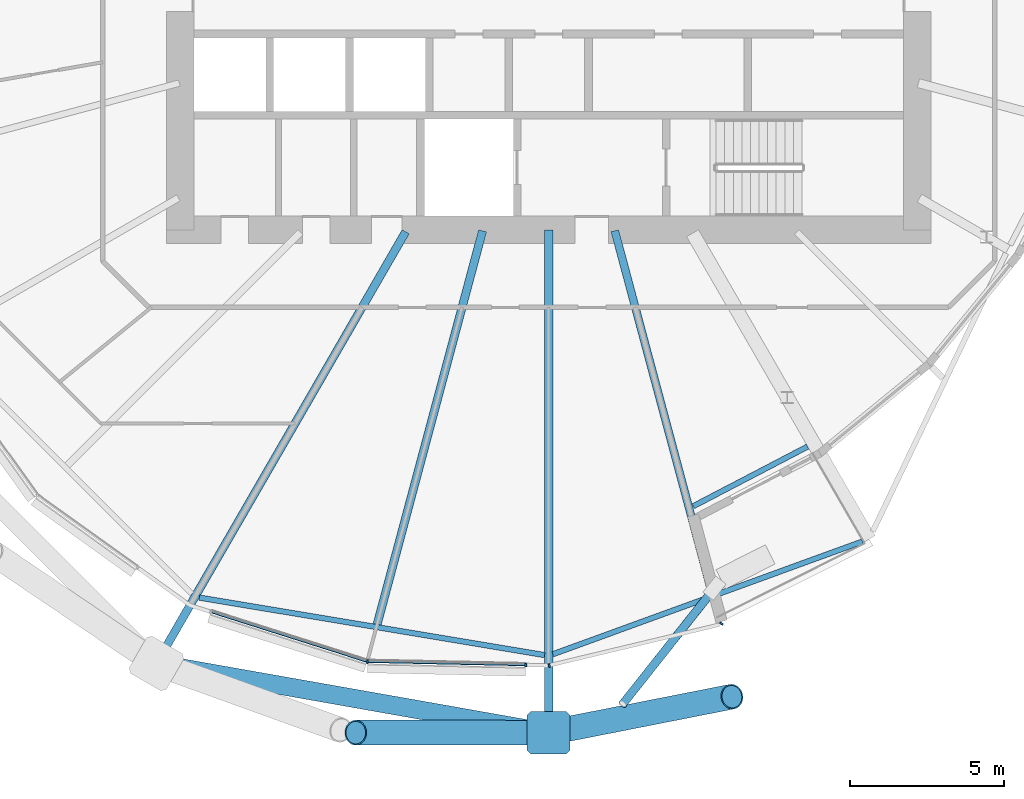
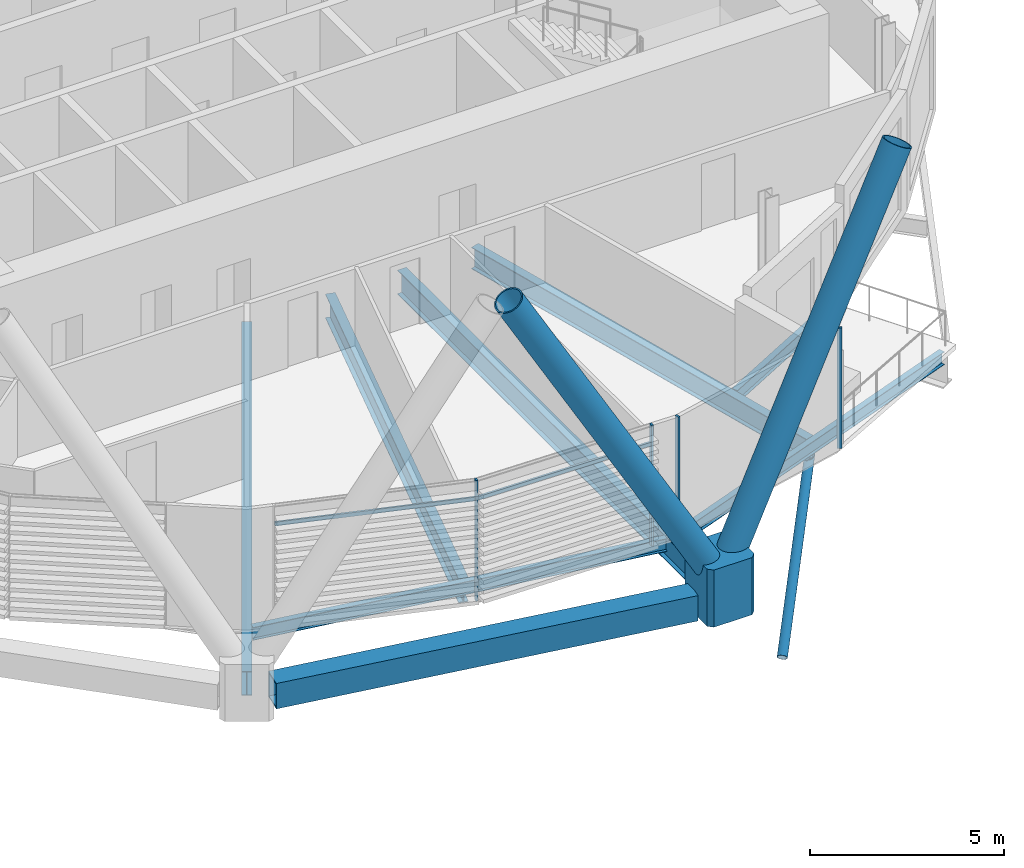
# One storey, part 12 of 36: 10 members, 8 beams, 1 element without a shape of its own.
"""IFC4 building model written with IfcOpenShell, lengths in metres."""

from ifc_helpers import new_model, si_unit, direction, frame, origin, origin_2d, place, context, subcontext, project, spatial, polyline, rectangle, hollow_rectangle, hollow_circle, i_section, outline, extrude, clip, halfspace, material, material_profile, profile_set, type_object, element, aggregate, save


model = new_model("IFC4")

# Units and contexts
model_context = context("Model", 3, precision=1e-05, world=origin(), true_north=direction((0.0, 1.0)))
body_context = subcontext(model_context, "Body", "Model", "MODEL_VIEW")
ifc_project = project(units=[si_unit("LENGTHUNIT", "METRE"), si_unit("AREAUNIT", "SQUARE_METRE"), si_unit("VOLUMEUNIT", "CUBIC_METRE"), si_unit("PLANEANGLEUNIT", "RADIAN"), si_unit("MASSUNIT", "GRAM", prefix="KILO")], contexts=[model_context])

# Site, building, storey
site_placement = place(None, origin())
site = spatial("IfcSite", under=ifc_project, at=site_placement, CompositionType="ELEMENT")
building_placement = place(site_placement, origin())
building = spatial("IfcBuilding", under=site, at=building_placement, Name="Rimbun Link Towers", CompositionType="ELEMENT")
storey_placement = place(building_placement, frame((0.0, 0.0, 64.199951171875)))
storey = spatial("IfcBuildingStorey", under=building, at=storey_placement, Name="L15", CompositionType="ELEMENT", Elevation=64.199951171875)

# Curtain wall, members
ifc_material_1 = material(Name="Aluminium 6063-T6 and low-iron glass", Category="aluminium")
curtain_wall_type = type_object("IfcCurtainWallType", Name="CW1 unitised vision wall", PredefinedType="NOTDEFINED", material=ifc_material_1)
curtain_wall_placement = place(storey_placement, origin())
curtain_wall = element("IfcCurtainWall", 1, at=curtain_wall_placement, inside=storey, type_object=curtain_wall_type, Name="CW1 L15 T2", PredefinedType="NOTDEFINED")
ifc_material_2 = material(Name="Aluminium 6063-T6", Category="aluminium")
ifc_material_profile_1 = material_profile(ifc_material_2, rectangle(XDim=0.1201171875, YDim=0.06005859375, at=origin_2d()), Name="MULLION 60X120")
ifc_profile_set_1 = profile_set([ifc_material_profile_1], Name="Aluminium 6063-T6")
member_type_1 = type_object("IfcMemberType", Name="CW1 mullion 60X120", PredefinedType="MULLION", material=ifc_profile_set_1)
member_1_placement = place(storey_placement, frame((25.843994140625, -22.06396484375, 0.0), z_axis=(0.0, 0.0, 1.0), x_axis=(-0.16374422533, -0.986502827503, 0.0)))
member_1 = element("IfcMember", 2, at=member_1_placement, type_object=member_type_1, Name="CW1 mullion", PredefinedType="MULLION", context=body_context, shape_type="SweptSolid", body=[
    extrude(rectangle(XDim=0.1201171875, YDim=0.06005859375, at=origin_2d()), origin(), (0.0, 0.0, 1.0), 3.800048828125),
])
member_2_placement = place(storey_placement, frame((30.9990234375, -22.173095703125, 0.0), z_axis=(0.0, 0.0, 1.0), x_axis=(-0.021059742681, -0.999778219026, 0.0)))
member_2 = element("IfcMember", 3, at=member_2_placement, type_object=member_type_1, Name="CW1 mullion", PredefinedType="MULLION", context=body_context, shape_type="SweptSolid", body=[
    extrude(rectangle(XDim=0.1201171875, YDim=0.06005859375, at=origin_2d()), origin(), (0.0, 0.0, 1.0), 3.800048828125),
])
member_3_placement = place(storey_placement, frame((37.3740234375, -20.826904296875, 0.0), z_axis=(0.0, 0.0, 1.0), x_axis=(0.859188553098, -0.511659095712, 0.0)))
member_3 = element("IfcMember", 4, at=member_3_placement, type_object=member_type_1, Name="CW1 mullion", PredefinedType="MULLION", context=body_context, shape_type="SweptSolid", body=[
    extrude(rectangle(XDim=0.1201171875, YDim=0.06005859375, at=origin_2d()), origin(), (0.0, 0.0, 1.0), 3.800048828125),
])
member_4_placement = place(storey_placement, frame((31.763916015625, -22.187255859375, 0.0), z_axis=(0.0, 0.0, 1.0), x_axis=(0.232601207201, -0.972572197016, 0.0)))
member_4 = element("IfcMember", 5, at=member_4_placement, type_object=member_type_1, Name="CW1 mullion", PredefinedType="MULLION", context=body_context, shape_type="SweptSolid", body=[
    extrude(rectangle(XDim=0.1201171875, YDim=0.06005859375, at=origin_2d()), origin(), (0.0, 0.0, 1.0), 3.800048828125),
])
ifc_material_3 = material(Name="Aluminium 6063-T6", Category="aluminium")
ifc_material_profile_2 = material_profile(ifc_material_3, rectangle(XDim=0.06005859375, YDim=0.1201171875, at=origin_2d()), Name="TRANSOM 60X120")
ifc_profile_set_2 = profile_set([ifc_material_profile_2], Name="Aluminium 6063-T6")
member_type_2 = type_object("IfcMemberType", Name="CW1 transom 60X120", PredefinedType="USERDEFINED", material=ifc_profile_set_2)
member_5_placement = place(storey_placement, frame((25.8076171875, -22.051025390625, 3.199951171875), z_axis=(-0.952961021475, 0.303092876112, 0.0), x_axis=(-0.303092876112, -0.952961021475, 0.0)))
member_5 = element("IfcMember", 6, at=member_5_placement, type_object=member_type_2, Name="CW1 transom", ObjectType="TRANSOM", PredefinedType="USERDEFINED", context=body_context, shape_type="SweptSolid", body=[
    extrude(rectangle(XDim=0.06005859375, YDim=0.1201171875, at=origin_2d()), origin(), (0.0, 0.0, 1.0), 5.276123046875),
])
member_6_placement = place(storey_placement, frame((30.968994140625, -22.170654296875, 3.199951171875), z_axis=(-0.999778073515, 0.021066649432, 0.0), x_axis=(-0.021066649432, -0.999778073515, 0.0)))
member_6 = element("IfcMember", 7, at=member_6_placement, type_object=member_type_2, Name="CW1 transom", ObjectType="TRANSOM", PredefinedType="USERDEFINED", context=body_context, shape_type="SweptSolid", body=[
    extrude(rectangle(XDim=0.06005859375, YDim=0.1201171875, at=origin_2d()), origin(), (0.0, 0.0, 1.0), 5.087646484375),
])
aggregate(curtain_wall, [member_1, member_2, member_3, member_4, member_5, member_6])

# Members
ifc_material_4 = material(Name="Steel S460NH", Category="steel")
ifc_material_profile_3 = material_profile(ifc_material_4, hollow_circle(Radius=0.406494140625, WallThickness=0.0400390625, at=origin_2d()), Name="Diagrid diagonal CHS 813x40")
ifc_profile_set_3 = profile_set([ifc_material_profile_3], Name="Steel S460NH")
member_type_3 = type_object("IfcMemberType", Name="Diagrid diagonal CHS 813x40", PredefinedType="BRACE", material=ifc_profile_set_3)
member_7_placement = place(storey_placement, frame((31.50146484375, -24.37890625, 0.433837890625), z_axis=(-0.497124128082, 0.000201126402, 0.867679411319), x_axis=(-0.000404579811, -0.999999918158, 0.0)))
element("IfcMember", 8, at=member_7_placement, inside=storey, type_object=member_type_3, Name="Diagrid diagonal T2 L15-L18 15a", PredefinedType="BRACE", context=body_context, shape_type="SweptSolid", body=[
    extrude(hollow_circle(Radius=0.406494140625, WallThickness=0.0400390625, at=origin_2d()), origin(), (0.0, 0.0, 1.0), 12.138671875),
])
member_8_placement = place(storey_placement, frame((31.988037109375, -24.33203125, 0.437255859375), z_axis=(0.475943844858, 0.093728383, 0.874466950069), x_axis=(-0.193220495125, 0.981155359902, 0.0)))
element("IfcMember", 9, at=member_8_placement, inside=storey, type_object=member_type_3, Name="Diagrid diagonal T2 L15-L18 15b", PredefinedType="BRACE", context=body_context, shape_type="SweptSolid", body=[
    extrude(hollow_circle(Radius=0.406494140625, WallThickness=0.0400390625, at=origin_2d()), origin(), (0.0, 0.0, 1.0), 12.03662109375),
])
ifc_material_5 = material(Name="Cast steel G20Mn5+QT, Rp0.2 300 MPa", Category="steel")
ifc_material_profile_4 = material_profile(ifc_material_5, outline(polyline([(0.699951171875, -0.570068359375), (0.699951171875, 0.570068359375), (0.570068359375, 0.699951171875), (-0.570068359375, 0.699951171875), (-0.699951171875, 0.570068359375), (-0.699951171875, -0.570068359375), (-0.570068359375, -0.699951171875), (0.570068359375, -0.699951171875), (0.699951171875, -0.570068359375)])), Name="NODE 1400x1400")
ifc_profile_set_4 = profile_set([ifc_material_profile_4], Name="Cast steel G20Mn5+QT, Rp0.2 300 MPa")
member_type_4 = type_object("IfcMemberType", Name="Diagrid node cast 1400", PredefinedType="USERDEFINED", material=ifc_profile_set_4)
member_9_placement = place(storey_placement, frame((31.75, -24.37890625, -0.89990234375), z_axis=(0.0, 0.0, 1.0), x_axis=(0.0, -1.0, 0.0)))
element("IfcMember", 10, at=member_9_placement, inside=storey, type_object=member_type_4, Name="Diagrid node L15 15", ObjectType="Diagrid node", PredefinedType="USERDEFINED", context=body_context, shape_type="SweptSolid", body=[
    extrude(outline(polyline([(0.699951171875, -0.570068359375), (0.699951171875, 0.570068359375), (0.570068359375, 0.699951171875), (-0.570068359375, 0.699951171875), (-0.699951171875, 0.570068359375), (-0.699951171875, -0.570068359375), (-0.570068359375, -0.699951171875), (0.570068359375, -0.699951171875), (0.699951171875, -0.570068359375)])), origin(), (0.0, 0.0, 1.0), 1.800048828125),
])

# Beam
ifc_material_6 = material(Name="Steel S355J2", Category="steel")
ifc_material_profile_5 = material_profile(ifc_material_6, hollow_rectangle(XDim=0.60009765625, YDim=0.800048828125, WallThickness=0.0400390625, at=origin_2d()), Name="Exoskeleton ring girder BOX 600x800x40")
ifc_profile_set_5 = profile_set([ifc_material_profile_5], Name="Steel S355J2")
beam_type_1 = type_object("IfcBeamType", Name="Exoskeleton ring girder BOX 600x800x40", PredefinedType="BEAM", material=ifc_profile_set_5)
beam_1_placement = place(storey_placement, frame((19.666015625, -22.24560546875, -0.56005859375), z_axis=(0.984770599089, -0.173858756379, 0.0), x_axis=(0.173858756379, 0.984770599089, 0.0)))
element("IfcBeam", 11, at=beam_1_placement, inside=storey, type_object=beam_type_1, Name="Exoskeleton ring girder L15 06", PredefinedType="BEAM", context=body_context, shape_type="SweptSolid", body=[
    extrude(hollow_rectangle(XDim=0.60009765625, YDim=0.800048828125, WallThickness=0.0400390625, at=origin_2d()), origin(), (0.0, 0.0, 1.0), 11.571044921875),
])

# Member
ifc_material_7 = material(Name="Steel S355J2H", Category="steel")
ifc_material_profile_6 = material_profile(ifc_material_7, hollow_circle(Radius=0.136474609375, WallThickness=0.012451171875, at=origin_2d()), Name="CHS 273x12.5")
ifc_profile_set_6 = profile_set([ifc_material_profile_6], Name="Steel S355J2H")
member_type_5 = type_object("IfcMemberType", Name="Floor edge link CHS 273x12.5", PredefinedType="BRACE", material=ifc_profile_set_6)
member_10_placement = place(storey_placement, frame((37.05322265625, -19.7919921875, -0.9599609375), z_axis=(-0.526707543733, -0.664950527752, -0.5295469375), x_axis=(0.783880355018, -0.620911901172, 0.0)))
element("IfcMember", 12, at=member_10_placement, inside=storey, type_object=member_type_5, Name="Floor edge link T2 L15 16", PredefinedType="BRACE", context=body_context, shape_type="Clipping", body=[
    clip(extrude(hollow_circle(Radius=0.136474609375, WallThickness=0.012451171875, at=origin_2d()), frame((0.0, 0.0, -0.456298828125)), (0.0, 0.0, 1.0), 5.959228515625), halfspace(frame((0.0, 0.0, -0.21630859375), z_axis=(0.0, 0.848280638105, -0.5295469375)), False)),
])

# Beams
ifc_material_8 = material(Name="Steel S355J2", Category="steel")
ifc_material_profile_7 = material_profile(ifc_material_8, i_section(OverallWidth=0.177978515625, OverallDepth=0.406494140625, WebThickness=0.0078125, FlangeThickness=0.0126953125, at=origin_2d()), Name="UB 406x178x60")
ifc_profile_set_7 = profile_set([ifc_material_profile_7], Name="Steel S355J2")
beam_type_2 = type_object("IfcBeamType", Name="UB 406x178x60", PredefinedType="BEAM", material=ifc_profile_set_7)
beam_2_placement = place(storey_placement, frame((20.37109375, -19.977294921875, -0.363037109375), z_axis=(0.986419380736, -0.164246172888, 0.0), x_axis=(0.164246172888, 0.986419380736, 0.0)))
element("IfcBeam", 13, at=beam_2_placement, inside=storey, type_object=beam_type_2, Name="Edge beam T2 L15 13-15", PredefinedType="BEAM", context=body_context, shape_type="SweptSolid", body=[
    extrude(i_section(OverallWidth=0.177978515625, OverallDepth=0.406494140625, WebThickness=0.0078125, FlangeThickness=0.0126953125, at=origin_2d()), origin(), (0.0, 0.0, 1.0), 11.3994140625),
])
beam_3_placement = place(storey_placement, frame((31.88427734375, -21.822998046875, -0.363037109375), z_axis=(0.939629920883, 0.342192360787, 0.0), x_axis=(-0.342192360787, 0.939629920883, 0.0)))
element("IfcBeam", 14, at=beam_3_placement, inside=storey, type_object=beam_type_2, Name="Edge beam T2 L15 15-17", PredefinedType="BEAM", context=body_context, shape_type="SweptSolid", body=[
    extrude(i_section(OverallWidth=0.177978515625, OverallDepth=0.406494140625, WebThickness=0.0078125, FlangeThickness=0.0126953125, at=origin_2d()), origin(), (0.0, 0.0, 1.0), 10.73193359375),
])
beam_4_placement = place(storey_placement, frame((36.4580078125, -17.001953125, -0.363037109375), z_axis=(0.88663047013, 0.462478550244, 0.0), x_axis=(-0.462478550244, 0.88663047013, 0.0)))
element("IfcBeam", 15, at=beam_4_placement, inside=storey, type_object=beam_type_2, Name="Edge beam T2 L15 16 recess", PredefinedType="BEAM", context=body_context, shape_type="SweptSolid", body=[
    extrude(i_section(OverallWidth=0.177978515625, OverallDepth=0.406494140625, WebThickness=0.0078125, FlangeThickness=0.0126953125, at=origin_2d()), origin(), (0.0, 0.0, 1.0), 4.19775390625),
])
ifc_material_9 = material(Name="Steel S355J2", Category="steel")
ifc_material_profile_8 = material_profile(ifc_material_9, i_section(OverallWidth=0.253662109375, OverallDepth=0.68359375, WebThickness=0.012451171875, FlangeThickness=0.01904296875, at=origin_2d()), Name="UB 686x254x140")
ifc_profile_set_8 = profile_set([ifc_material_profile_8], Name="Steel S355J2")
beam_type_3 = type_object("IfcBeamType", Name="UB 686x254x140", PredefinedType="BEAM", material=ifc_profile_set_8)
beam_5_placement = place(storey_placement, frame((33.902587890625, -8.03369140625, -0.501708984375), z_axis=(0.258823610988, -0.965924602852, 0.0), x_axis=(0.965924602852, 0.258823610988, 0.0)))
element("IfcBeam", 16, at=beam_5_placement, inside=storey, type_object=beam_type_3, Name="Radial beam T2 L15 16", PredefinedType="BEAM", context=body_context, shape_type="SweptSolid", body=[
    extrude(i_section(OverallWidth=0.253662109375, OverallDepth=0.68359375, WebThickness=0.012451171875, FlangeThickness=0.01904296875, at=origin_2d()), origin(), (0.0, 0.0, 1.0), 12.222900390625),
])
ifc_material_10 = material(Name="Steel S355J2", Category="steel")
ifc_material_profile_9 = material_profile(ifc_material_10, i_section(OverallWidth=0.2666015625, OverallDepth=0.76220703125, WebThickness=0.014404296875, FlangeThickness=0.021484375, at=origin_2d()), Name="UB 762x267x173")
ifc_profile_set_9 = profile_set([ifc_material_profile_9], Name="Steel S355J2")
beam_type_4 = type_object("IfcBeamType", Name="UB 762x267x173", PredefinedType="BEAM", material=ifc_profile_set_9)
beam_6_placement = place(storey_placement, frame((27.09228515625, -8.0673828125, -0.541015625), z_axis=(-0.499996511319, -0.866027417966, 0.0), x_axis=(0.866027417966, -0.499996511319, 0.0)))
element("IfcBeam", 17, at=beam_6_placement, inside=storey, type_object=beam_type_4, Name="Radial beam T2 L15 13", PredefinedType="BEAM", context=body_context, shape_type="SweptSolid", body=[
    extrude(i_section(OverallWidth=0.2666015625, OverallDepth=0.76220703125, WebThickness=0.014404296875, FlangeThickness=0.021484375, at=origin_2d()), origin(), (0.0, 0.0, 1.0), 15.73095703125),
])
beam_7_placement = place(storey_placement, frame((29.596923828125, -8.035400390625, -0.541015625), z_axis=(-0.258820400429, -0.965925463129, 0.0), x_axis=(0.965925463129, -0.258820400429, 0.0)))
element("IfcBeam", 18, at=beam_7_placement, inside=storey, type_object=beam_type_4, Name="Radial beam T2 L15 14", PredefinedType="BEAM", context=body_context, shape_type="SweptSolid", body=[
    extrude(i_section(OverallWidth=0.2666015625, OverallDepth=0.76220703125, WebThickness=0.014404296875, FlangeThickness=0.021484375, at=origin_2d()), origin(), (0.0, 0.0, 1.0), 13.267333984375),
])
beam_8_placement = place(storey_placement, frame((31.75, -8.0009765625, -0.541015625), z_axis=(0.0, -1.0, 0.0), x_axis=(1.0, 0.0, 0.0)))
element("IfcBeam", 19, at=beam_8_placement, inside=storey, type_object=beam_type_4, Name="Radial beam T2 L15 15", PredefinedType="BEAM", context=body_context, shape_type="SweptSolid", body=[
    extrude(i_section(OverallWidth=0.2666015625, OverallDepth=0.76220703125, WebThickness=0.014404296875, FlangeThickness=0.021484375, at=origin_2d()), origin(), (0.0, 0.0, 1.0), 15.8779296875),
])

save(model, "model.ifc")
